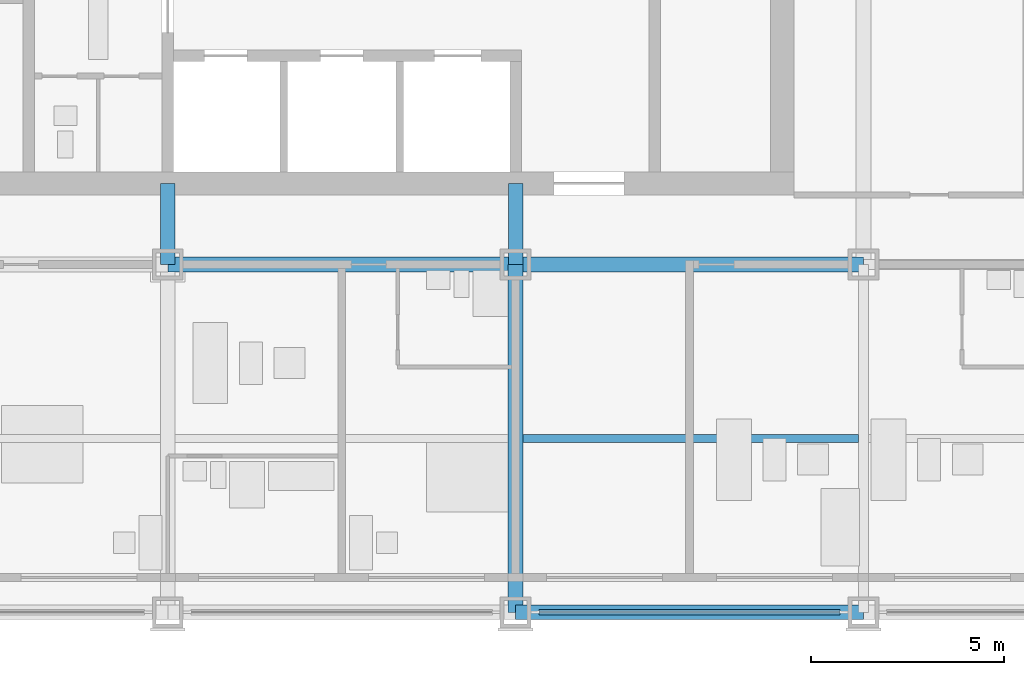
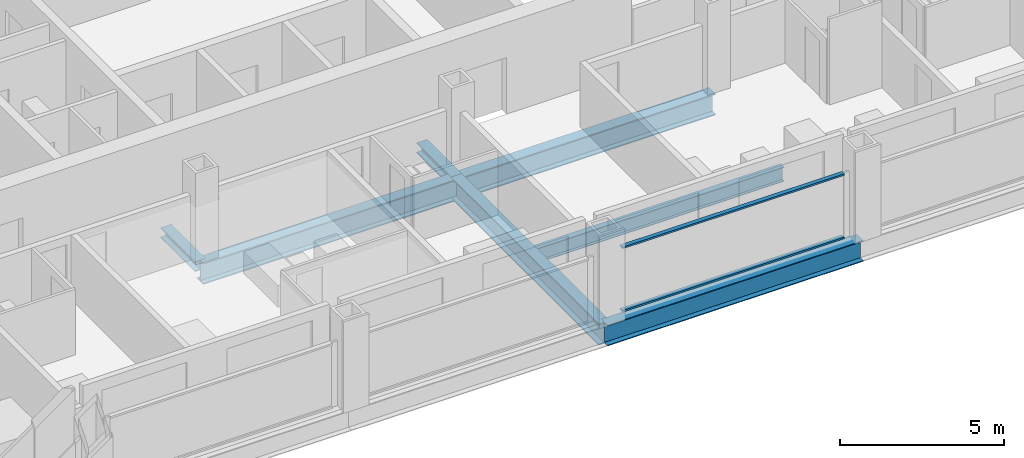
# One storey, part 3 of 18: 5 beams, 4 members, 1 element without a shape of its own.
"""IFC4 building model written with IfcOpenShell, lengths in metres."""

from ifc_helpers import new_model, si_unit, direction, frame, origin, origin_2d, place, context, subcontext, project, spatial, rectangle, i_section, extrude, material, material_profile, profile_set, type_object, element, aggregate, save


model = new_model("IFC4")

# Units and contexts
model_context = context("Model", 3, precision=1e-05, world=origin(), true_north=direction((0.0, 1.0)))
body_context = subcontext(model_context, "Body", "Model", "MODEL_VIEW")
ifc_project = project(units=[si_unit("LENGTHUNIT", "METRE"), si_unit("AREAUNIT", "SQUARE_METRE"), si_unit("VOLUMEUNIT", "CUBIC_METRE"), si_unit("PLANEANGLEUNIT", "RADIAN"), si_unit("MASSUNIT", "GRAM", prefix="KILO")], contexts=[model_context])

# Site, building, storey
site_placement = place(None, origin())
site = spatial("IfcSite", under=ifc_project, at=site_placement, CompositionType="ELEMENT")
building_placement = place(site_placement, origin())
building = spatial("IfcBuilding", under=site, at=building_placement, Name="Loomwork Tower", CompositionType="ELEMENT")
storey_placement = place(building_placement, frame((0.0, 0.0, 51.800048828125)))
storey = spatial("IfcBuildingStorey", under=building, at=storey_placement, Name="L12", CompositionType="ELEMENT", Elevation=51.800048828125)

# Beams
ifc_material_1 = material(Name="Steel ASTM A992", Category="steel")
ifc_material_profile_1 = material_profile(ifc_material_1, i_section(OverallWidth=0.383544921875, OverallDepth=0.794921875, WebThickness=0.02099609375, FlangeThickness=0.0380859375, at=origin_2d()), Name="W30x235")
ifc_profile_set_1 = profile_set([ifc_material_profile_1], Name="Steel ASTM A992")
beam_type_1 = type_object("IfcBeamType", Name="CORE FLANK GIRDER W30x235", PredefinedType="BEAM", material=ifc_profile_set_1)
for number, where, z_axis, x_axis, name in (
    (1, (18.0, 9.0, -0.59765625), (1.0, 0.0, 0.0), (0.0, 1.0, 0.0), "Core Flank Girder E/4-E/5 L12"),
    (2, (27.0, 9.0, -0.59765625), (1.0, 0.0, 0.0), (0.0, 1.0, 0.0), "Core Flank Girder E/5-E/6 L12"),
    (3, (27.0, 0.0, -0.59765625), (0.0, 1.0, 0.0), (-1.0, 0.0, 0.0), "Core Flank Girder D/5-E/5 L12"),
):
    element("IfcBeam", number, at=place(storey_placement, frame(where, z_axis=z_axis, x_axis=x_axis)), inside=storey, type_object=beam_type_1, Name=name, PredefinedType="BEAM", context=body_context, shape_type="SweptSolid", body=[
        extrude(i_section(OverallWidth=0.383544921875, OverallDepth=0.794921875, WebThickness=0.02099609375, FlangeThickness=0.0380859375, at=origin_2d()), origin(), (0.0, 0.0, 1.0), 9.0),
    ])

# Members
ifc_material_2 = material(Name="Steel ASTM A992", Category="steel")
ifc_material_profile_2 = material_profile(ifc_material_2, i_section(OverallWidth=0.373291015625, OverallDepth=0.373291015625, WebThickness=0.016357421875, FlangeThickness=0.026123046875, at=origin_2d()), Name="W14x132")
ifc_profile_set_2 = profile_set([ifc_material_profile_2], Name="Steel ASTM A992")
member_type_1 = type_object("IfcMemberType", Name="CORE LINK STRUT W14x132", PredefinedType="STRUT", material=ifc_profile_set_2)
for number, where, z_axis, x_axis, name in (
    (4, (27.0, 9.0, -0.38671875), (0.0, 1.0, 0.0), (-1.0, 0.0, 0.0), "Core link strut E/5-27.000,11.100 L12"),
    (5, (18.0, 9.0, -0.38671875), (0.0, 1.0, 0.0), (-1.0, 0.0, 0.0), "Core link strut E/4-18.000,11.100 L12"),
):
    element("IfcMember", number, at=place(storey_placement, frame(where, z_axis=z_axis, x_axis=x_axis)), inside=storey, type_object=member_type_1, Name=name, PredefinedType="STRUT", context=body_context, shape_type="SweptSolid", body=[
        extrude(i_section(OverallWidth=0.373291015625, OverallDepth=0.373291015625, WebThickness=0.016357421875, FlangeThickness=0.026123046875, at=origin_2d()), origin(), (0.0, 0.0, 1.0), 2.10009765625),
    ])

# Beam
ifc_material_3 = material(Name="Steel ASTM A992", Category="steel")
ifc_material_profile_3 = material_profile(ifc_material_3, i_section(OverallWidth=0.2109375, OverallDepth=0.53857421875, WebThickness=0.011474609375, FlangeThickness=0.018798828125, at=origin_2d()), Name="W21x73")
ifc_profile_set_3 = profile_set([ifc_material_profile_3], Name="Steel ASTM A992")
beam_type_2 = type_object("IfcBeamType", Name="FLOOR JOIST W21x73", PredefinedType="JOIST", material=ifc_profile_set_3)
beam_1_placement = place(storey_placement, frame((27.19091796875, 4.5, -0.46923828125), z_axis=(1.0, 0.0, 0.0), x_axis=(0.0, 1.0, 0.0)))
element("IfcBeam", 6, at=beam_1_placement, inside=storey, type_object=beam_type_2, Name="Floor Joist 27.000,4.500-36.000,4.500 L12", PredefinedType="JOIST", context=body_context, shape_type="SweptSolid", body=[
    extrude(i_section(OverallWidth=0.2109375, OverallDepth=0.53857421875, WebThickness=0.011474609375, FlangeThickness=0.018798828125, at=origin_2d()), origin(), (0.0, 0.0, 1.0), 8.676025390625),
])

# Curtain wall, members
ifc_material_4 = material(Name="Aluminium curtain wall frame", Category="aluminium")
curtain_wall_type = type_object("IfcCurtainWallType", Name="Outer skin glazing hotel", PredefinedType="NOTDEFINED", material=ifc_material_4)
curtain_wall_placement = place(storey_placement, origin())
curtain_wall = element("IfcCurtainWall", 7, at=curtain_wall_placement, inside=storey, type_object=curtain_wall_type, Name="Outer skin glazing hotel cw/S-27", PredefinedType="NOTDEFINED")
ifc_material_5 = material(Name="Aluminium curtain wall frame", Category="aluminium")
ifc_material_profile_4 = material_profile(ifc_material_5, rectangle(XDim=0.14990234375, YDim=0.06494140625, at=origin_2d()), Name="AL 65x150")
ifc_profile_set_4 = profile_set([ifc_material_profile_4], Name="Aluminium curtain wall frame")
member_type_2 = type_object("IfcMemberType", Name="Outer skin glazing hotel transom", PredefinedType="USERDEFINED", material=ifc_profile_set_4)
member_1_placement = place(storey_placement, frame((27.60009765625, 0.0, 0.032470703125), z_axis=(1.0, 0.0, 0.0), x_axis=(0.0, 1.0, 0.0)))
member_1 = element("IfcMember", 8, at=member_1_placement, type_object=member_type_2, Name="CW1 transom 1.1", ObjectType="TRANSOM", PredefinedType="USERDEFINED", context=body_context, shape_type="SweptSolid", body=[
    extrude(rectangle(XDim=0.14990234375, YDim=0.06494140625, at=origin_2d()), origin(), (0.0, 0.0, 1.0), 7.7998046875),
])
member_2_placement = place(storey_placement, frame((27.60009765625, 0.0, 2.3876953125), z_axis=(1.0, 0.0, 0.0), x_axis=(0.0, 1.0, 0.0)))
member_2 = element("IfcMember", 9, at=member_2_placement, type_object=member_type_2, Name="CW1 transom 1.2", ObjectType="TRANSOM", PredefinedType="USERDEFINED", context=body_context, shape_type="SweptSolid", body=[
    extrude(rectangle(XDim=0.14990234375, YDim=0.06494140625, at=origin_2d()), origin(), (0.0, 0.0, 1.0), 7.7998046875),
])
aggregate(curtain_wall, [member_1, member_2])

# Beam
ifc_material_6 = material(Name="Steel ASTM A992", Category="steel")
ifc_material_profile_5 = material_profile(ifc_material_6, i_section(OverallWidth=0.381103515625, OverallDepth=0.77978515625, WebThickness=0.01806640625, FlangeThickness=0.0302734375, at=origin_2d()), Name="W30x191")
ifc_profile_set_5 = profile_set([ifc_material_profile_5], Name="Steel ASTM A992")
beam_type_3 = type_object("IfcBeamType", Name="SPANDREL GIRDER W30x191", PredefinedType="SPANDREL", material=ifc_profile_set_5)
beam_2_placement = place(storey_placement, frame((27.0, 0.0, -0.58984375), z_axis=(1.0, 0.0, 0.0), x_axis=(0.0, 1.0, 0.0)))
element("IfcBeam", 10, at=beam_2_placement, inside=storey, type_object=beam_type_3, Name="Spandrel Girder D/5-D/6 L12", PredefinedType="SPANDREL", context=body_context, shape_type="SweptSolid", body=[
    extrude(i_section(OverallWidth=0.381103515625, OverallDepth=0.77978515625, WebThickness=0.01806640625, FlangeThickness=0.0302734375, at=origin_2d()), origin(), (0.0, 0.0, 1.0), 9.0),
])

save(model, "model.ifc")
